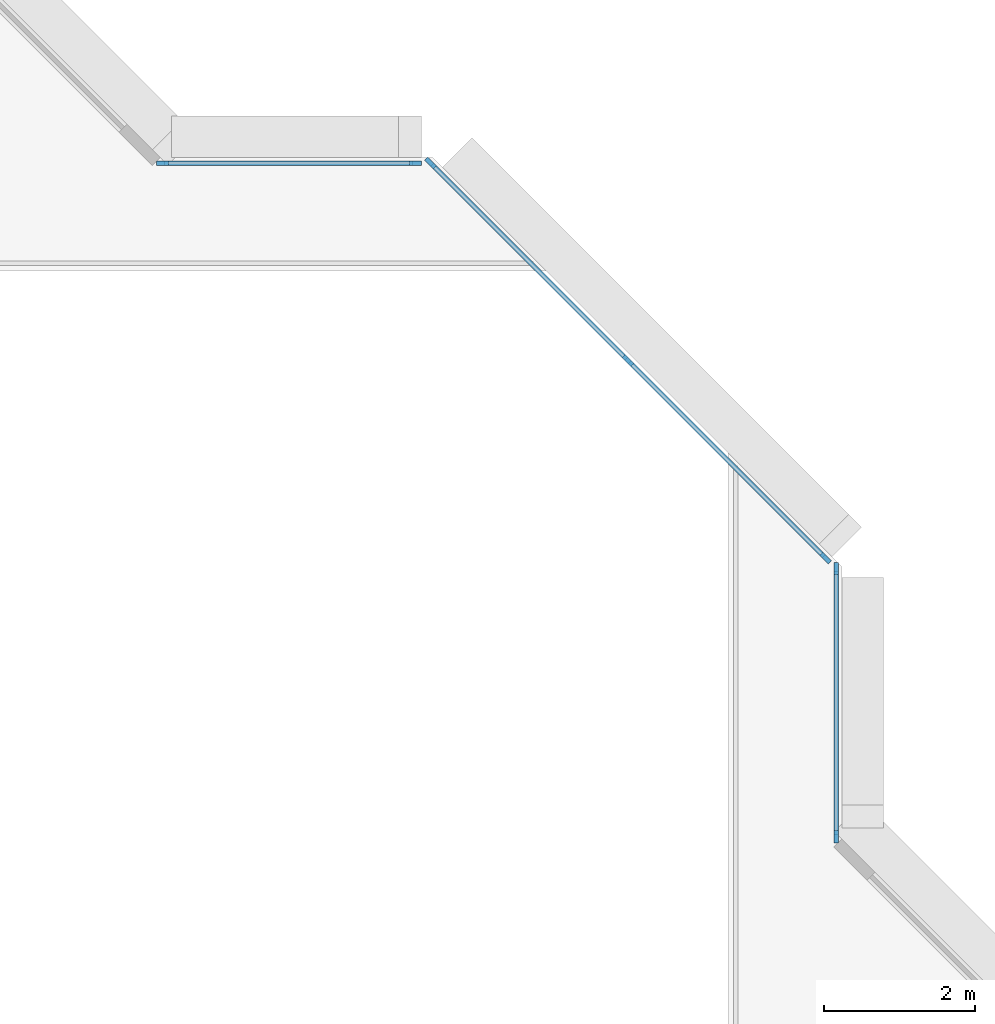
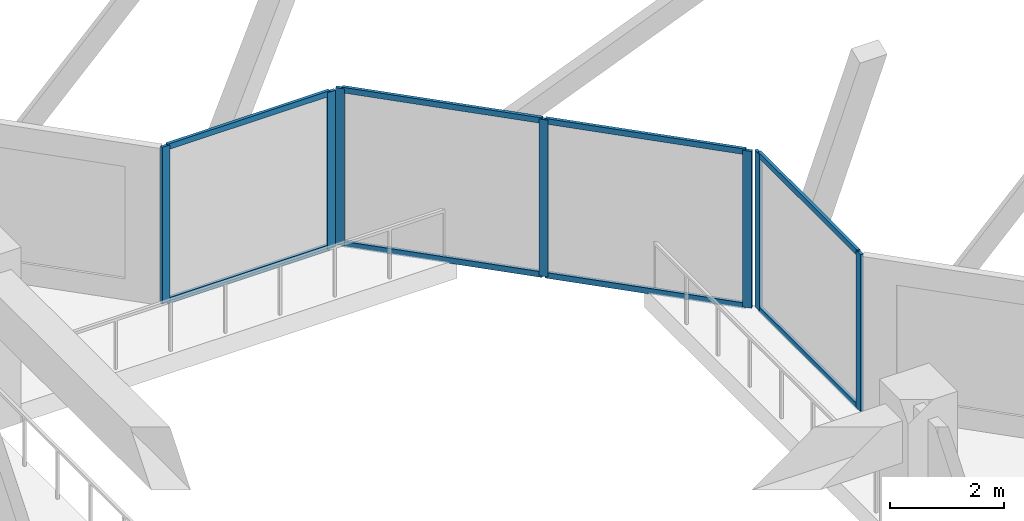
# One storey, part 2 of 14: 15 members, 3 elements without a shape of their own.
"""IFC4 building model written with IfcOpenShell, lengths in metres."""

from ifc_helpers import new_model, si_unit, direction, frame, origin, origin_2d, place, context, subcontext, project, spatial, rectangle, extrude, material, layer, layer_set, material_profile, profile_set, type_object, element, aggregate, save


model = new_model("IFC4")

# Units and contexts
model_context = context("Model", 3, precision=1e-05, world=origin(), true_north=direction((0.0, 1.0)))
body_context = subcontext(model_context, "Body", "Model", "MODEL_VIEW")
ifc_project = project(units=[si_unit("LENGTHUNIT", "METRE"), si_unit("AREAUNIT", "SQUARE_METRE"), si_unit("VOLUMEUNIT", "CUBIC_METRE"), si_unit("PLANEANGLEUNIT", "RADIAN"), si_unit("MASSUNIT", "GRAM", prefix="KILO")], contexts=[model_context])

# Site, building, storey
site_placement = place(None, origin())
site = spatial("IfcSite", under=ifc_project, at=site_placement, CompositionType="ELEMENT")
building_placement = place(site_placement, origin())
building = spatial("IfcBuilding", under=site, at=building_placement, Name="Chenar Terraces", CompositionType="ELEMENT")
storey_placement = place(building_placement, frame((0.0, 0.0, 91.89990234375)))
storey = spatial("IfcBuildingStorey", under=building, at=storey_placement, Name="L20", CompositionType="ELEMENT", Elevation=91.89990234375)

# Curtain wall, members
ifc_material_1 = material(Name="Aluminium framed glazing", Category="aluminium")
ifc_layer = layer(ifc_material_1, 0.14990234375)
ifc_layer_set = layer_set([ifc_layer], Name="Aluminium framed glazing")
curtain_wall_type = type_object("IfcCurtainWallType", Name="Atrium curtain wall", PredefinedType="NOTDEFINED", material=ifc_layer_set)
placement = place(storey_placement, origin())
curtain_wall_1 = element("IfcCurtainWall", 1, at=placement, inside=storey, type_object=curtain_wall_type, Name="Atrium curtain wall", PredefinedType="NOTDEFINED")
ifc_material_2 = material(Name="Aluminium", Category="aluminium")
ifc_material_profile_1 = material_profile(ifc_material_2, rectangle(XDim=0.06005859375, YDim=0.159912109375, at=origin_2d()), Name="Atrium glazing mullion 60 x 160")
ifc_profile_set_1 = profile_set([ifc_material_profile_1], Name="Aluminium")
member_type_1 = type_object("IfcMemberType", Name="Atrium glazing mullion 60 x 160", PredefinedType="MULLION", material=ifc_profile_set_1)
member_1_placement = place(storey_placement, frame((37.425048828125, 28.530029296875, 0.0), z_axis=(0.0, 0.0, 1.0), x_axis=(-1.0, 0.0, 0.0)))
member_1 = element("IfcMember", 2, at=member_1_placement, type_object=member_type_1, Name="CW1-1 mullion 1", PredefinedType="MULLION", context=body_context, shape_type="SweptSolid", body=[
    extrude(rectangle(XDim=0.06005859375, YDim=0.159912109375, at=origin_2d()), origin(), (0.0, 0.0, 1.0), 3.35009765625),
])
member_2_placement = place(storey_placement, frame((37.425048828125, 32.070068359375, 0.0), z_axis=(0.0, 0.0, 1.0), x_axis=(-1.0, 0.0, 0.0)))
member_2 = element("IfcMember", 3, at=member_2_placement, type_object=member_type_1, Name="CW1-1 mullion 2", PredefinedType="MULLION", context=body_context, shape_type="SweptSolid", body=[
    extrude(rectangle(XDim=0.06005859375, YDim=0.159912109375, at=origin_2d()), origin(), (0.0, 0.0, 1.0), 3.35009765625),
])

curtain_wall_2 = element("IfcCurtainWall", 4, at=placement, inside=storey, type_object=curtain_wall_type, Name="Atrium curtain wall", PredefinedType="NOTDEFINED")
member_3_placement = place(storey_placement, frame((37.284423828125, 32.209716796875, 0.0), z_axis=(0.0, 0.0, 1.0), x_axis=(-0.707106781187, -0.707106781187, 0.0)))
member_3 = element("IfcMember", 5, at=member_3_placement, type_object=member_type_1, Name="CW1-2 mullion 1", PredefinedType="MULLION", context=body_context, shape_type="SweptSolid", body=[
    extrude(rectangle(XDim=0.06005859375, YDim=0.159912109375, at=origin_2d()), origin(), (0.0, 0.0, 1.0), 3.35009765625),
])
member_4_placement = place(storey_placement, frame((34.67626953125, 34.817626953125, 0.0), z_axis=(0.0, 0.0, 1.0), x_axis=(-0.707106781187, -0.707106781187, 0.0)))
member_4 = element("IfcMember", 6, at=member_4_placement, type_object=member_type_1, Name="CW1-2 mullion 2", PredefinedType="MULLION", context=body_context, shape_type="SweptSolid", body=[
    extrude(rectangle(XDim=0.06005859375, YDim=0.159912109375, at=origin_2d()), origin(), (0.0, 0.0, 1.0), 3.35009765625),
])
member_5_placement = place(storey_placement, frame((32.068115234375, 37.42578125, 0.0), z_axis=(0.0, 0.0, 1.0), x_axis=(-0.707106781187, -0.707106781187, 0.0)))
member_5 = element("IfcMember", 7, at=member_5_placement, type_object=member_type_1, Name="CW1-2 mullion 3", PredefinedType="MULLION", context=body_context, shape_type="SweptSolid", body=[
    extrude(rectangle(XDim=0.06005859375, YDim=0.159912109375, at=origin_2d()), origin(), (0.0, 0.0, 1.0), 3.35009765625),
])

curtain_wall_3 = element("IfcCurtainWall", 8, at=placement, inside=storey, type_object=curtain_wall_type, Name="Atrium curtain wall", PredefinedType="NOTDEFINED")
member_6_placement = place(storey_placement, frame((31.8701171875, 37.425048828125, 0.0), z_axis=(0.0, 0.0, 1.0), x_axis=(0.0, -1.0, 0.0)))
member_6 = element("IfcMember", 9, at=member_6_placement, type_object=member_type_1, Name="CW1-3 mullion 1", PredefinedType="MULLION", context=body_context, shape_type="SweptSolid", body=[
    extrude(rectangle(XDim=0.06005859375, YDim=0.159912109375, at=origin_2d()), origin(), (0.0, 0.0, 1.0), 3.35009765625),
])
member_7_placement = place(storey_placement, frame((28.530029296875, 37.425048828125, 0.0), z_axis=(0.0, 0.0, 1.0), x_axis=(0.0, -1.0, 0.0)))
member_7 = element("IfcMember", 10, at=member_7_placement, type_object=member_type_1, Name="CW1-3 mullion 2", PredefinedType="MULLION", context=body_context, shape_type="SweptSolid", body=[
    extrude(rectangle(XDim=0.06005859375, YDim=0.159912109375, at=origin_2d()), origin(), (0.0, 0.0, 1.0), 3.35009765625),
])

# Member
ifc_material_3 = material(Name="Aluminium", Category="aluminium")
ifc_material_profile_2 = material_profile(ifc_material_3, rectangle(XDim=0.06005859375, YDim=0.1201171875, at=origin_2d()), Name="Atrium glazing transom 60 x 120")
ifc_profile_set_2 = profile_set([ifc_material_profile_2], Name="Aluminium")
member_type_2 = type_object("IfcMemberType", Name="Atrium glazing transom 60 x 120", PredefinedType="USERDEFINED", material=ifc_profile_set_2)
member_8_placement = place(storey_placement, frame((37.425048828125, 28.56005859375, 0.030029296875), z_axis=(0.0, 1.0, 0.0), x_axis=(-1.0, 0.0, 0.0)))
member_8 = element("IfcMember", 11, at=member_8_placement, type_object=member_type_2, Name="CW1-1 transom 1.1", ObjectType="TRANSOM", PredefinedType="USERDEFINED", context=body_context, shape_type="SweptSolid", body=[
    extrude(rectangle(XDim=0.06005859375, YDim=0.1201171875, at=origin_2d()), origin(), (0.0, 0.0, 1.0), 3.47998046875),
])

member_9_placement = place(storey_placement, frame((37.425048828125, 28.56005859375, 3.320068359375), z_axis=(0.0, 1.0, 0.0), x_axis=(-1.0, 0.0, 0.0)))
member_9 = element("IfcMember", 12, at=member_9_placement, type_object=member_type_2, Name="CW1-1 transom 1.2", ObjectType="TRANSOM", PredefinedType="USERDEFINED", context=body_context, shape_type="SweptSolid", body=[
    extrude(rectangle(XDim=0.06005859375, YDim=0.1201171875, at=origin_2d()), origin(), (0.0, 0.0, 1.0), 3.47998046875),
])

aggregate(curtain_wall_1, [member_1, member_2, member_8, member_9])

member_10_placement = place(storey_placement, frame((37.26318359375, 32.230712890625, 0.030029296875), z_axis=(-0.707106781187, 0.707106781187, 0.0), x_axis=(-0.707106781187, -0.707106781187, 0.0)))
member_10 = element("IfcMember", 13, at=member_10_placement, type_object=member_type_2, Name="CW1-2 transom 1.1", ObjectType="TRANSOM", PredefinedType="USERDEFINED", context=body_context, shape_type="SweptSolid", body=[
    extrude(rectangle(XDim=0.06005859375, YDim=0.1201171875, at=origin_2d()), origin(), (0.0, 0.0, 1.0), 3.62841796875),
])

member_11_placement = place(storey_placement, frame((37.26318359375, 32.230712890625, 3.320068359375), z_axis=(-0.707106781187, 0.707106781187, 0.0), x_axis=(-0.707106781187, -0.707106781187, 0.0)))
member_11 = element("IfcMember", 14, at=member_11_placement, type_object=member_type_2, Name="CW1-2 transom 1.2", ObjectType="TRANSOM", PredefinedType="USERDEFINED", context=body_context, shape_type="SweptSolid", body=[
    extrude(rectangle(XDim=0.06005859375, YDim=0.1201171875, at=origin_2d()), origin(), (0.0, 0.0, 1.0), 3.62841796875),
])

member_12_placement = place(storey_placement, frame((34.655029296875, 34.8388671875, 0.030029296875), z_axis=(-0.707106781187, 0.707106781187, 0.0), x_axis=(-0.707106781187, -0.707106781187, 0.0)))
member_12 = element("IfcMember", 15, at=member_12_placement, type_object=member_type_2, Name="CW1-2 transom 2.1", ObjectType="TRANSOM", PredefinedType="USERDEFINED", context=body_context, shape_type="SweptSolid", body=[
    extrude(rectangle(XDim=0.06005859375, YDim=0.1201171875, at=origin_2d()), origin(), (0.0, 0.0, 1.0), 3.62841796875),
])

member_13_placement = place(storey_placement, frame((34.655029296875, 34.8388671875, 3.320068359375), z_axis=(-0.707106781187, 0.707106781187, 0.0), x_axis=(-0.707106781187, -0.707106781187, 0.0)))
member_13 = element("IfcMember", 16, at=member_13_placement, type_object=member_type_2, Name="CW1-2 transom 2.2", ObjectType="TRANSOM", PredefinedType="USERDEFINED", context=body_context, shape_type="SweptSolid", body=[
    extrude(rectangle(XDim=0.06005859375, YDim=0.1201171875, at=origin_2d()), origin(), (0.0, 0.0, 1.0), 3.62841796875),
])

aggregate(curtain_wall_2, [member_3, member_4, member_5, member_10, member_11, member_12, member_13])

member_14_placement = place(storey_placement, frame((31.840087890625, 37.425048828125, 0.030029296875), z_axis=(-1.0, 0.0, 0.0), x_axis=(0.0, -1.0, 0.0)))
member_14 = element("IfcMember", 17, at=member_14_placement, type_object=member_type_2, Name="CW1-3 transom 1.1", ObjectType="TRANSOM", PredefinedType="USERDEFINED", context=body_context, shape_type="SweptSolid", body=[
    extrude(rectangle(XDim=0.06005859375, YDim=0.1201171875, at=origin_2d()), origin(), (0.0, 0.0, 1.0), 3.280029296875),
])

member_15_placement = place(storey_placement, frame((31.840087890625, 37.425048828125, 3.320068359375), z_axis=(-1.0, 0.0, 0.0), x_axis=(0.0, -1.0, 0.0)))
member_15 = element("IfcMember", 18, at=member_15_placement, type_object=member_type_2, Name="CW1-3 transom 1.2", ObjectType="TRANSOM", PredefinedType="USERDEFINED", context=body_context, shape_type="SweptSolid", body=[
    extrude(rectangle(XDim=0.06005859375, YDim=0.1201171875, at=origin_2d()), origin(), (0.0, 0.0, 1.0), 3.280029296875),
])

aggregate(curtain_wall_3, [member_6, member_7, member_14, member_15])

save(model, "model.ifc")
